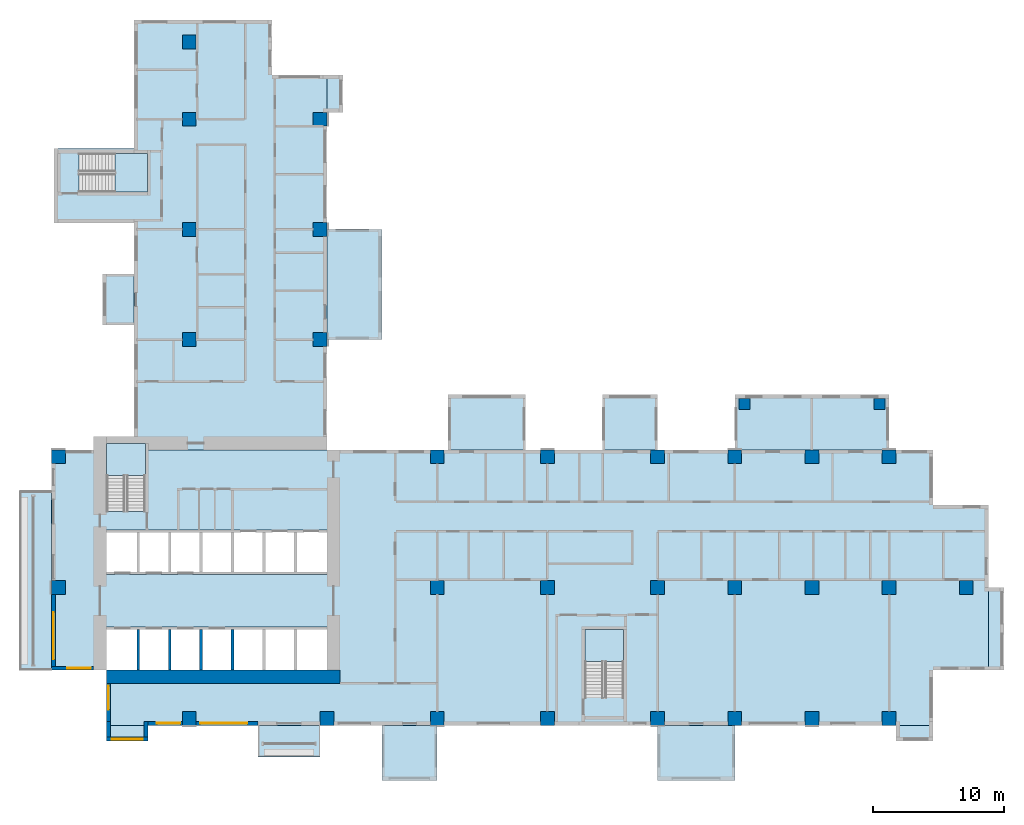
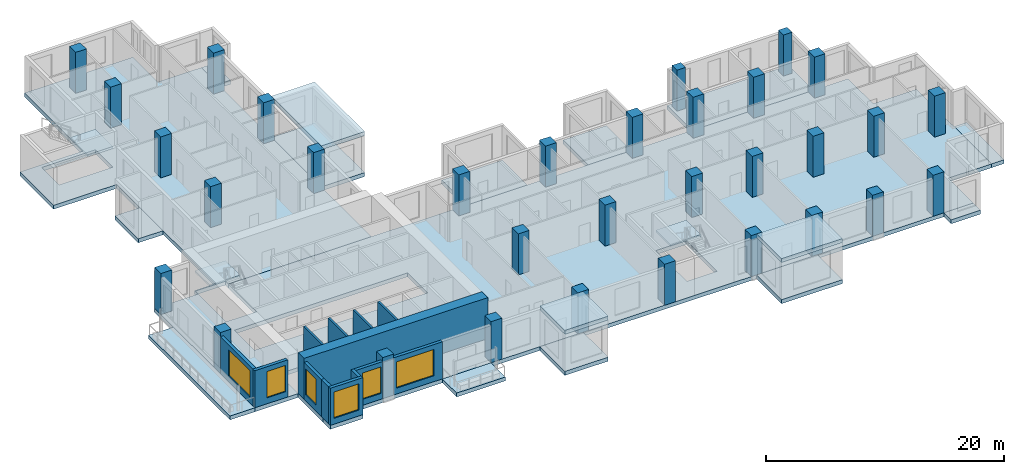
# One storey, part 1 of 15: 32 columns, 21 slabs, 13 walls, 6 windows, 6 openings, 3 elements without a shape of their own.
"""IFC4 building model written with IfcOpenShell, lengths in metres."""

from ifc_helpers import new_model, si_unit, direction, frame, frame_2d, origin, origin_2d, place, context, subcontext, project, spatial, polyline, rectangle, outline, extrude, source, transform, mapped, material, layer, layer_set, material_profile, profile_set, type_object, element, fill, aggregate, save


model = new_model("IFC4")

# Units and contexts
model_context = context("Model", 3, precision=1e-05, world=origin(), true_north=direction((0.0, 1.0)))
body_context = subcontext(model_context, "Body", "Model", "MODEL_VIEW")
ifc_project = project(units=[si_unit("LENGTHUNIT", "METRE"), si_unit("AREAUNIT", "SQUARE_METRE"), si_unit("VOLUMEUNIT", "CUBIC_METRE"), si_unit("PLANEANGLEUNIT", "RADIAN"), si_unit("MASSUNIT", "GRAM", prefix="KILO")], contexts=[model_context])

# Site, building, storey
site_placement = place(None, origin())
site = spatial("IfcSite", under=ifc_project, at=site_placement, CompositionType="ELEMENT")
building_placement = place(site_placement, origin())
building = spatial("IfcBuilding", under=site, at=building_placement, Name="Aurelian Terraces", CompositionType="ELEMENT")
storey_placement = place(building_placement, frame((0.0, 0.0, 137.1)))
storey = spatial("IfcBuildingStorey", under=building, at=storey_placement, Name="L30", CompositionType="ELEMENT", Elevation=137.1)

# Columns
ifc_material_1 = material(Name="Concrete fc' 83 MPa", Category="concrete")
ifc_material_profile_1 = material_profile(ifc_material_1, rectangle(XDim=1.05, YDim=1.05, at=origin_2d()))
ifc_profile_set_1 = profile_set([ifc_material_profile_1], Name="Concrete fc' 83 MPa")
column_type_1 = type_object("IfcColumnType", Name="RC COLUMN 1050X1050 FC83", PredefinedType="COLUMN", material=ifc_profile_set_1)
shared_shape_1 = source(origin(), body_context, "Body", "SweptSolid", [
    extrude(rectangle(XDim=1.05, YDim=1.05, at=origin_2d()), origin(), (0.0, 0.0, 1.0), 4.2),
])
for number, where, z_axis, x_axis, name in (
    (1, (10.5, 0.525, 0.0), (0.0, 0.0, 1.0), (1.0, 0.0, 0.0), "Column 2/A L30"),
    (2, (21.0, 0.525, 0.0), (0.0, 0.0, 1.0), (1.0, 0.0, 0.0), "Column 3/A L30"),
    (3, (29.4, 0.525, 0.0), (0.0, 0.0, 1.0), (1.0, 0.0, 0.0), "Column 4/A L30"),
    (4, (37.8, 0.525, 0.0), (0.0, 0.0, 1.0), (1.0, 0.0, 0.0), "Column 5/A L30"),
    (5, (46.2, 0.525, 0.0), (0.0, 0.0, 1.0), (1.0, 0.0, 0.0), "Column 6/A L30"),
    (6, (52.08, 0.525, 0.0), (0.0, 0.0, 1.0), (1.0, 0.0, 0.0), "Column 7/A L30"),
    (7, (57.96, 0.525, 0.0), (0.0, 0.0, 1.0), (1.0, 0.0, 0.0), "Column 8/A L30"),
    (8, (63.84, 0.525, 0.0), (0.0, 0.0, 1.0), (1.0, 0.0, 0.0), "Column 9/A L30"),
    (9, (0.525, 10.5, 0.0), (0.0, 0.0, 1.0), (1.0, 0.0, 0.0), "Column 1/B L30"),
    (10, (29.4, 10.5, 0.0), (0.0, 0.0, 1.0), (1.0, 0.0, 0.0), "Column 4/B L30"),
    (11, (37.8, 10.5, 0.0), (0.0, 0.0, 1.0), (1.0, 0.0, 0.0), "Column 5/B L30"),
    (12, (46.2, 10.5, 0.0), (0.0, 0.0, 1.0), (1.0, 0.0, 0.0), "Column 6/B L30"),
    (13, (52.08, 10.5, 0.0), (0.0, 0.0, 1.0), (1.0, 0.0, 0.0), "Column 7/B L30"),
    (14, (57.96, 10.5, 0.0), (0.0, 0.0, 1.0), (1.0, 0.0, 0.0), "Column 8/B L30"),
    (15, (63.84, 10.5, 0.0), (0.0, 0.0, 1.0), (1.0, 0.0, 0.0), "Column 9/B L30"),
    (16, (69.72, 10.5, 0.0), (0.0, 0.0, 1.0), (1.0, 0.0, 0.0), "Column 10/B L30"),
    (17, (0.525, 20.475, 0.0), (0.0, 0.0, 1.0), (1.0, 0.0, 0.0), "Column 1/C L30"),
    (18, (29.4, 20.475, 0.0), (0.0, 0.0, 1.0), (1.0, 0.0, 0.0), "Column 4/C L30"),
    (19, (37.8, 20.475, 0.0), (0.0, 0.0, 1.0), (1.0, 0.0, 0.0), "Column 5/C L30"),
    (20, (46.2, 20.475, 0.0), (0.0, 0.0, 1.0), (1.0, 0.0, 0.0), "Column 6/C L30"),
    (21, (52.08, 20.475, 0.0), (0.0, 0.0, 1.0), (1.0, 0.0, 0.0), "Column 7/C L30"),
    (22, (57.96, 20.475, 0.0), (0.0, 0.0, 1.0), (1.0, 0.0, 0.0), "Column 8/C L30"),
    (23, (63.84, 20.475, 0.0), (0.0, 0.0, 1.0), (1.0, 0.0, 0.0), "Column 9/C L30"),
    (24, (10.5, 29.4, 0.0), (0.0, 0.0, 1.0), (1.0, 0.0, 0.0), "Column 2/D L30"),
    (25, (20.475, 29.4, 0.0), (0.0, 0.0, 1.0), (1.0, 0.0, 0.0), "Column 3/D L30"),
    (26, (10.5, 37.8, 0.0), (0.0, 0.0, 1.0), (1.0, 0.0, 0.0), "Column 2/E L30"),
    (27, (20.475, 37.8, 0.0), (0.0, 0.0, 1.0), (1.0, 0.0, 0.0), "Column 3/E L30"),
    (28, (10.5, 46.2, 0.0), (0.0, 0.0, 1.0), (1.0, 0.0, 0.0), "Column 2/F L30"),
    (29, (20.475, 46.2, 0.0), (0.0, 0.0, 1.0), (1.0, 0.0, 0.0), "Column 3/F L30"),
    (30, (10.5, 52.08, 0.0), (0.0, 0.0, 1.0), (1.0, 0.0, 0.0), "Column 2/G L30"),
):
    element("IfcColumn", number, at=place(storey_placement, frame(where, z_axis=z_axis, x_axis=x_axis)), inside=storey, type_object=column_type_1, Name=name, PredefinedType="COLUMN", context=body_context, shape_type="MappedRepresentation", body=[
        mapped(shared_shape_1, transform((0.0, 0.0, 0.0), scale=1.0)),
    ])
ifc_material_2 = material(Name="Concrete fc' 55 MPa", Category="concrete")
ifc_material_profile_2 = material_profile(ifc_material_2, rectangle(XDim=0.84, YDim=0.84, at=origin_2d()))
ifc_profile_set_2 = profile_set([ifc_material_profile_2], Name="Concrete fc' 55 MPa")
column_type_2 = type_object("IfcColumnType", Name="BLOCK CORNER PIER 840X840", PredefinedType="COLUMN", material=ifc_profile_set_2)
shared_shape_2 = source(origin(), body_context, "Body", "SweptSolid", [
    extrude(rectangle(XDim=0.84, YDim=0.84, at=origin_2d()), origin(), (0.0, 0.0, 1.0), 4.2),
])
for number, where, z_axis, x_axis, name in (
    (31, (52.805, 24.48, 0.0), (0.0, 0.0, 1.0), (1.0, 0.0, 0.0), "Block pier K02.1 L30"),
    (32, (63.115, 24.48, 0.0), (0.0, 0.0, 1.0), (1.0, 0.0, 0.0), "Block pier K02.2 L30"),
):
    element("IfcColumn", number, at=place(storey_placement, frame(where, z_axis=z_axis, x_axis=x_axis)), inside=storey, type_object=column_type_2, Name=name, PredefinedType="COLUMN", context=body_context, shape_type="MappedRepresentation", body=[
        mapped(shared_shape_2, transform((0.0, 0.0, 0.0), scale=1.0)),
    ])

# Slabs
ifc_material_3 = material(Name="Concrete fc' 40 MPa", Category="concrete")
ifc_layer_1 = layer(ifc_material_3, 0.4)
ifc_layer_set_1 = layer_set([ifc_layer_1], Name="PT FLAT PLATE 400")
slab_type_1 = type_object("IfcSlabType", Name="PT FLAT PLATE 400", PredefinedType="FLOOR", material=ifc_layer_set_1)
shared_shape_3 = source(origin(), body_context, "Body", "SweptSolid", [
    extrude(outline(polyline([(67.2, 16.8), (71.4, 16.8), (71.4, 4.2), (67.2, 4.2), (67.2, 0.0), (21.0, 0.0), (4.2, 0.0), (4.2, 4.2), (0.0, 4.2), (0.0, 21.0), (4.21, 21.0), (4.21, 16.31), (7.14, 16.31), (7.14, 21.0), (21.0, 21.0), (67.2, 21.0), (67.2, 16.8)]), holes=[polyline([(40.66, 2.11), (43.59, 2.11), (43.59, 7.29), (40.66, 7.29), (40.66, 2.11)]), polyline([(4.21, 7.49), (4.21, 4.21), (20.99, 4.21), (20.99, 7.49), (4.21, 7.49)]), polyline([(4.21, 14.89), (4.21, 11.51), (20.99, 11.51), (20.99, 14.89), (4.21, 14.89)])]), origin(), (0.0, 0.0, 1.0), 0.4),
])
slab_1_placement = place(storey_placement, frame((0.0, 0.0, -0.4)))
element("IfcSlab", 33, at=slab_1_placement, inside=storey, type_object=slab_type_1, Name="Floor slab S L30", PredefinedType="FLOOR", context=body_context, shape_type="MappedRepresentation", body=[
    mapped(shared_shape_3, transform((0.0, 0.0, 0.0), scale=1.0)),
])
shared_shape_4 = source(origin(), body_context, "Body", "SweptSolid", [
    extrude(outline(polyline([(0.2, 43.95), (6.3, 43.95), (6.3, 49.56), (6.3, 53.76), (10.5, 53.76), (16.8, 53.76), (16.8, 49.56), (21.0, 49.56), (21.0, 21.0), (7.14, 21.0), (7.14, 21.49), (4.21, 21.49), (4.21, 21.0), (4.2, 21.0), (4.2, 21.6), (6.3, 21.6), (6.3, 38.3), (0.2, 38.3), (0.2, 43.95)]), holes=[polyline([(7.29, 43.59), (2.11, 43.59), (2.11, 40.66), (7.29, 40.66), (7.29, 43.59)])]), origin(), (0.0, 0.0, 1.0), 0.4),
])
slab_2_placement = place(storey_placement, frame((0.0, 0.0, -0.4)))
element("IfcSlab", 34, at=slab_2_placement, inside=storey, type_object=slab_type_1, Name="Floor slab W L30", PredefinedType="FLOOR", context=body_context, shape_type="MappedRepresentation", body=[
    mapped(shared_shape_4, transform((0.0, 0.0, 0.0), scale=1.0)),
])
ifc_layer_2 = layer(ifc_material_3, 0.41)
ifc_layer_set_2 = layer_set([ifc_layer_2], Name="Box floor 410")
slab_type_2 = type_object("IfcSlabType", Name="Box floor 410", PredefinedType="NOTDEFINED", material=ifc_layer_set_2)
shared_shape_5 = source(origin(), body_context, "Body", "SweptSolid", [
    extrude(outline(polyline([(46.2, -4.2), (52.08, -4.2), (52.08, 0.0), (46.2, 0.0), (46.2, -4.2)])), origin(), (0.0, 0.0, 1.0), 0.41),
])
slab_3_placement = place(storey_placement, frame((0.0, 0.0, -0.41)))
element("IfcSlab", 35, at=slab_3_placement, inside=storey, type_object=slab_type_2, Name="Box floor L30 J40", PredefinedType="NOTDEFINED", context=body_context, shape_type="MappedRepresentation", body=[
    mapped(shared_shape_5, transform((0.0, 0.0, 0.0), scale=1.0)),
])
shared_shape_6 = source(origin(), body_context, "Body", "SweptSolid", [
    extrude(outline(polyline([(25.2, 29.4), (25.2, 37.8), (21.0, 37.8), (21.0, 29.4), (25.2, 29.4)])), origin(), (0.0, 0.0, 1.0), 0.41),
])
slab_4_placement = place(storey_placement, frame((0.0, 0.0, -0.41)))
element("IfcSlab", 36, at=slab_4_placement, inside=storey, type_object=slab_type_2, Name="Box floor L30 J41", PredefinedType="NOTDEFINED", context=body_context, shape_type="MappedRepresentation", body=[
    mapped(shared_shape_6, transform((0.0, 0.0, 0.0), scale=1.0)),
])
ifc_layer_3 = layer(ifc_material_3, 0.4)
ifc_layer_set_3 = layer_set([ifc_layer_3], Name="Bay floor 400")
slab_type_3 = type_object("IfcSlabType", Name="Bay floor 400", PredefinedType="NOTDEFINED", material=ifc_layer_set_3)
shared_shape_7 = source(origin(), body_context, "Body", "SweptSolid", [
    extrude(outline(polyline([(4.2, 0.0), (7.35, 0.0), (7.35, -1.2), (4.2, -1.2), (4.2, 0.0)])), origin(), (0.0, 0.0, 1.0), 0.4),
])
slab_5_placement = place(storey_placement, frame((0.0, 0.0, -0.4)))
element("IfcSlab", 37, at=slab_5_placement, inside=storey, type_object=slab_type_3, Name="Bay floor L30 F01.1", PredefinedType="NOTDEFINED", context=body_context, shape_type="MappedRepresentation", body=[
    mapped(shared_shape_7, transform((0.0, 0.0, 0.0), scale=1.0)),
])
shared_shape_8 = source(origin(), body_context, "Body", "SweptSolid", [
    extrude(outline(polyline([(36.12, 25.2), (30.24, 25.2), (30.24, 21.0), (36.12, 21.0), (36.12, 25.2)])), origin(), (0.0, 0.0, 1.0), 0.41),
])
slab_6_placement = place(storey_placement, frame((0.0, 0.0, -0.41)))
element("IfcSlab", 38, at=slab_6_placement, inside=storey, type_object=slab_type_2, Name="Box floor L30 J42", PredefinedType="NOTDEFINED", context=body_context, shape_type="MappedRepresentation", body=[
    mapped(shared_shape_8, transform((0.0, 0.0, 0.0), scale=1.0)),
])
shared_shape_9 = source(origin(), body_context, "Body", "SweptSolid", [
    extrude(outline(polyline([(71.4, 4.2), (71.4, 10.5), (72.6, 10.5), (72.6, 4.2), (71.4, 4.2)])), origin(), (0.0, 0.0, 1.0), 0.4),
])
slab_7_placement = place(storey_placement, frame((0.0, 0.0, -0.4)))
element("IfcSlab", 39, at=slab_7_placement, inside=storey, type_object=slab_type_3, Name="Bay floor L30 F04.15", PredefinedType="NOTDEFINED", context=body_context, shape_type="MappedRepresentation", body=[
    mapped(shared_shape_9, transform((0.0, 0.0, 0.0), scale=1.0)),
])
ifc_layer_4 = layer(ifc_material_3, 0.4)
ifc_layer_set_4 = layer_set([ifc_layer_4], Name="Box roof 400")
slab_type_4 = type_object("IfcSlabType", Name="Box roof 400", PredefinedType="ROOF", material=ifc_layer_set_4)
shared_shape_10 = source(origin(), body_context, "Body", "SweptSolid", [
    extrude(outline(polyline([(46.2, -4.2), (52.08, -4.2), (52.08, 0.0), (46.2, 0.0), (46.2, -4.2)])), origin(), (0.0, 0.0, 1.0), 0.4),
])
slab_8_placement = place(storey_placement, frame((0.0, 0.0, 3.8)))
element("IfcSlab", 40, at=slab_8_placement, inside=storey, type_object=slab_type_4, Name="Box roof J40", PredefinedType="ROOF", context=body_context, shape_type="MappedRepresentation", body=[
    mapped(shared_shape_10, transform((0.0, 0.0, 0.0), scale=1.0)),
])
shared_shape_11 = source(origin(), body_context, "Body", "SweptSolid", [
    extrude(outline(polyline([(25.2, -4.2), (29.4, -4.2), (29.4, 0.0), (25.2, 0.0), (25.2, -4.2)])), origin(), (0.0, 0.0, 1.0), 0.41),
])
slab_9_placement = place(storey_placement, frame((0.0, 0.0, -0.41)))
element("IfcSlab", 41, at=slab_9_placement, inside=storey, type_object=slab_type_2, Name="Box floor L30 J39", PredefinedType="NOTDEFINED", context=body_context, shape_type="MappedRepresentation", body=[
    mapped(shared_shape_11, transform((0.0, 0.0, 0.0), scale=1.0)),
])
shared_shape_12 = source(origin(), body_context, "Body", "SweptSolid", [
    extrude(outline(polyline([(25.2, -4.2), (29.4, -4.2), (29.4, 0.0), (25.2, 0.0), (25.2, -4.2)])), origin(), (0.0, 0.0, 1.0), 0.4),
])
slab_10_placement = place(storey_placement, frame((0.0, 0.0, 3.8)))
element("IfcSlab", 42, at=slab_10_placement, inside=storey, type_object=slab_type_4, Name="Box roof J39", PredefinedType="ROOF", context=body_context, shape_type="MappedRepresentation", body=[
    mapped(shared_shape_12, transform((0.0, 0.0, 0.0), scale=1.0)),
])
shared_shape_13 = source(origin(), body_context, "Body", "SweptSolid", [
    extrude(outline(polyline([(25.2, 29.4), (25.2, 37.8), (21.0, 37.8), (21.0, 29.4), (25.2, 29.4)])), origin(), (0.0, 0.0, 1.0), 0.4),
])
slab_11_placement = place(storey_placement, frame((0.0, 0.0, 3.8)))
element("IfcSlab", 43, at=slab_11_placement, inside=storey, type_object=slab_type_4, Name="Box roof J41", PredefinedType="ROOF", context=body_context, shape_type="MappedRepresentation", body=[
    mapped(shared_shape_13, transform((0.0, 0.0, 0.0), scale=1.0)),
])
shared_shape_14 = source(origin(), body_context, "Body", "SweptSolid", [
    extrude(outline(polyline([(46.2, 25.2), (42.0, 25.2), (42.0, 21.0), (46.2, 21.0), (46.2, 25.2)])), origin(), (0.0, 0.0, 1.0), 0.41),
])
slab_12_placement = place(storey_placement, frame((0.0, 0.0, -0.41)))
element("IfcSlab", 44, at=slab_12_placement, inside=storey, type_object=slab_type_2, Name="Box floor L30 J43", PredefinedType="NOTDEFINED", context=body_context, shape_type="MappedRepresentation", body=[
    mapped(shared_shape_14, transform((0.0, 0.0, 0.0), scale=1.0)),
])
shared_shape_15 = source(origin(), body_context, "Body", "SweptSolid", [
    extrude(outline(polyline([(3.9, 34.4), (3.9, 30.5), (6.3, 30.5), (6.3, 34.4), (3.9, 34.4)])), origin(), (0.0, 0.0, 1.0), 0.41),
])
slab_13_placement = place(storey_placement, frame((0.0, 0.0, -0.41)))
element("IfcSlab", 45, at=slab_13_placement, inside=storey, type_object=slab_type_2, Name="Box floor L30 J44", PredefinedType="NOTDEFINED", context=body_context, shape_type="MappedRepresentation", body=[
    mapped(shared_shape_15, transform((0.0, 0.0, 0.0), scale=1.0)),
])
ifc_layer_5 = layer(ifc_material_3, 0.4)
ifc_layer_set_5 = layer_set([ifc_layer_5], Name="Balcony slab 400")
slab_type_5 = type_object("IfcSlabType", Name="Balcony slab 400", PredefinedType="NOTDEFINED", material=ifc_layer_set_5)
shared_shape_16 = source(origin(), body_context, "Body", "SweptSolid", [
    extrude(outline(polyline([(0.0, 17.85), (0.0, 4.2), (-2.4, 4.2), (-2.4, 17.85), (0.0, 17.85)])), origin(), (0.0, 0.0, 1.0), 0.4),
])
slab_14_placement = place(storey_placement, frame((0.0, 0.0, -0.4)))
element("IfcSlab", 46, at=slab_14_placement, inside=storey, type_object=slab_type_5, Name="Balcony slab L30 F20.38", PredefinedType="NOTDEFINED", context=body_context, shape_type="MappedRepresentation", body=[
    mapped(shared_shape_16, transform((0.0, 0.0, 0.0), scale=1.0)),
])
shared_shape_17 = source(origin(), body_context, "Body", "SweptSolid", [
    extrude(outline(polyline([(63.84, 25.2), (52.08, 25.2), (52.08, 21.0), (63.84, 21.0), (63.84, 25.2)])), origin(), (0.0, 0.0, 1.0), 0.41),
])
slab_15_placement = place(storey_placement, frame((0.0, 0.0, -0.41)))
element("IfcSlab", 47, at=slab_15_placement, inside=storey, type_object=slab_type_2, Name="Box floor L30 K02", PredefinedType="NOTDEFINED", context=body_context, shape_type="MappedRepresentation", body=[
    mapped(shared_shape_17, transform((0.0, 0.0, 0.0), scale=1.0)),
])
shared_shape_18 = source(origin(), body_context, "Body", "SweptSolid", [
    extrude(outline(polyline([(64.365, 0.0), (67.2, 0.0), (67.2, -1.2), (64.365, -1.2), (64.365, 0.0)])), origin(), (0.0, 0.0, 1.0), 0.4),
])
slab_16_placement = place(storey_placement, frame((0.0, 0.0, -0.4)))
element("IfcSlab", 48, at=slab_16_placement, inside=storey, type_object=slab_type_3, Name="Bay floor L30 F01.11", PredefinedType="NOTDEFINED", context=body_context, shape_type="MappedRepresentation", body=[
    mapped(shared_shape_18, transform((0.0, 0.0, 0.0), scale=1.0)),
])
shared_shape_19 = source(origin(), body_context, "Body", "SweptSolid", [
    extrude(outline(polyline([(21.0, 46.725), (21.0, 49.56), (22.2, 49.56), (22.2, 46.725), (21.0, 46.725)])), origin(), (0.0, 0.0, 1.0), 0.4),
])
slab_17_placement = place(storey_placement, frame((0.0, 0.0, -0.4)))
element("IfcSlab", 49, at=slab_17_placement, inside=storey, type_object=slab_type_3, Name="Bay floor L30 F08.24", PredefinedType="NOTDEFINED", context=body_context, shape_type="MappedRepresentation", body=[
    mapped(shared_shape_19, transform((0.0, 0.0, 0.0), scale=1.0)),
])
shared_shape_20 = source(origin(), body_context, "Body", "SweptSolid", [
    extrude(outline(polyline([(15.75, 0.0), (20.475, 0.0), (20.475, -2.4), (15.75, -2.4), (15.75, 0.0)])), origin(), (0.0, 0.0, 1.0), 0.4),
])
slab_18_placement = place(storey_placement, frame((0.0, 0.0, -0.4)))
element("IfcSlab", 50, at=slab_18_placement, inside=storey, type_object=slab_type_5, Name="Balcony slab L30 F01.4", PredefinedType="NOTDEFINED", context=body_context, shape_type="MappedRepresentation", body=[
    mapped(shared_shape_20, transform((0.0, 0.0, 0.0), scale=1.0)),
])

# Stair, slab
stair_type = type_object("IfcStairType", Name="Stair 1400", PredefinedType="HALF_TURN_STAIR", material=ifc_material_3)
stair_1_placement = place(storey_placement, origin())
stair_1 = element("IfcStair", 51, at=stair_1_placement, inside=storey, type_object=stair_type, Name="L30 S1", PredefinedType="HALF_TURN_STAIR")
ifc_layer_6 = layer(ifc_material_3, 0.2)
ifc_layer_set_6 = layer_set([ifc_layer_6], Name="Stair landing 200")
slab_type_6 = type_object("IfcSlabType", Name="Stair landing 200", PredefinedType="LANDING", material=ifc_layer_set_6)
shared_shape_21 = source(origin(), body_context, "Body", "SweptSolid", [
    extrude(outline(polyline([(7.15, 19.05), (7.15, 21.5), (4.2, 21.5), (4.2, 19.05), (7.15, 19.05)])), origin(), (0.0, 0.0, 1.0), 0.2),
])
slab_19_placement = place(storey_placement, frame((0.0, 0.0, 1.9)))
slab_19 = element("IfcSlab", 52, at=slab_19_placement, type_object=slab_type_6, Name="S1 landing 1", PredefinedType="LANDING", context=body_context, shape_type="MappedRepresentation", body=[
    mapped(shared_shape_21, transform((0.0, 0.0, 0.0), scale=1.0)),
])
aggregate(stair_1, [slab_19])

stair_2_placement = place(storey_placement, origin())
stair_2 = element("IfcStair", 53, at=stair_2_placement, inside=storey, type_object=stair_type, Name="L30 S2", PredefinedType="HALF_TURN_STAIR")
shared_shape_22 = source(origin(), body_context, "Body", "SweptSolid", [
    extrude(outline(polyline([(43.6, 4.85), (43.6, 7.3), (40.65, 7.3), (40.65, 4.85), (43.6, 4.85)])), origin(), (0.0, 0.0, 1.0), 0.2),
])
slab_20_placement = place(storey_placement, frame((0.0, 0.0, 1.9)))
slab_20 = element("IfcSlab", 54, at=slab_20_placement, type_object=slab_type_6, Name="S2 landing 1", PredefinedType="LANDING", context=body_context, shape_type="MappedRepresentation", body=[
    mapped(shared_shape_22, transform((0.0, 0.0, 0.0), scale=1.0)),
])
aggregate(stair_2, [slab_20])

stair_3_placement = place(storey_placement, origin())
stair_3 = element("IfcStair", 55, at=stair_3_placement, inside=storey, type_object=stair_type, Name="L30 S3", PredefinedType="HALF_TURN_STAIR")
shared_shape_23 = source(origin(), body_context, "Body", "SweptSolid", [
    extrude(outline(polyline([(4.85, 40.65), (7.3, 40.65), (7.3, 43.6), (4.85, 43.6), (4.85, 40.65)])), origin(), (0.0, 0.0, 1.0), 0.2),
])
slab_21_placement = place(storey_placement, frame((0.0, 0.0, 1.9)))
slab_21 = element("IfcSlab", 56, at=slab_21_placement, type_object=slab_type_6, Name="S3 landing 1", PredefinedType="LANDING", context=body_context, shape_type="MappedRepresentation", body=[
    mapped(shared_shape_23, transform((0.0, 0.0, 0.0), scale=1.0)),
])
aggregate(stair_3, [slab_21])

# Wall
ifc_layer_7 = layer(ifc_material_1, 1.0)
ifc_layer_set_7 = layer_set([ifc_layer_7], Name="CORE WALL 1000 FC83")
wall_type_1 = type_object("IfcWallType", Name="CORE WALL 1000 FC83", PredefinedType="SHEAR", material=ifc_layer_set_7)
shared_shape_24 = source(origin(), body_context, "Body", "SweptSolid", [
    extrude(rectangle(XDim=17.8, YDim=1.0, at=frame_2d((8.9, 0.0))), origin(), (0.0, 0.0, 1.0), 4.2),
])
wall_1_placement = place(storey_placement, frame((4.2, 3.7, 0.0), z_axis=(0.0, 0.0, 1.0), x_axis=(1.0, 0.0, 0.0)))
element("IfcWall", 57, at=wall_1_placement, inside=storey, type_object=wall_type_1, Name="Core wall S L30", PredefinedType="SHEAR", context=body_context, shape_type="MappedRepresentation", body=[
    mapped(shared_shape_24, transform((0.0, 0.0, 0.0), scale=1.0)),
])

# Wall, opening, window
ifc_material_4 = material(Name="Terracotta rainscreen cladding", Category="masonry")
ifc_layer_8 = layer(ifc_material_4, 0.3)
ifc_layer_set_8 = layer_set([ifc_layer_8], Name="EW-300")
wall_type_2 = type_object("IfcWallType", Name="EW-300", PredefinedType="STANDARD", material=ifc_layer_set_8)
shared_shape_25 = source(origin(), body_context, "Body", "SweptSolid", [
    extrude(rectangle(XDim=3.15, YDim=0.3, at=frame_2d((1.575, 0.0))), origin(), (0.0, 0.0, 1.0), 3.8),
])
wall_2_placement = place(storey_placement, frame((4.2, -1.05, 0.0), z_axis=(0.0, 0.0, 1.0), x_axis=(1.0, 0.0, 0.0)))
wall_2 = element("IfcWall", 58, at=wall_2_placement, inside=storey, type_object=wall_type_2, Name="Bay wall L30 F01.1", PredefinedType="STANDARD", context=body_context, shape_type="MappedRepresentation", body=[
    mapped(shared_shape_25, transform((0.0, 0.0, 0.0), scale=1.0)),
])
shared_shape_26 = source(origin(), body_context, "Body", "SweptSolid", [
    extrude(rectangle(XDim=2.4, YDim=2.7, at=frame_2d((1.2, 1.35))), frame((0.0, 0.16, 0.0), z_axis=(0.0, -1.0, 0.0), x_axis=(1.0, 0.0, 0.0)), (0.0, 0.0, 1.0), 0.32),
])
opening_1_placement = place(wall_2_placement, frame((0.375, 0.0, 0.6)))
opening_1 = element("IfcOpeningElement", 59, at=opening_1_placement, cuts=wall_2, Name="Opening W2427", PredefinedType="OPENING", context=body_context, shape_type="MappedRepresentation", body=[
    mapped(shared_shape_26, transform((0.0, 0.0, 0.0), scale=1.0)),
])
ifc_material_5 = material(Name="Clear glazing", Category="glass")
window_type_1 = type_object("IfcWindowType", Name="W-2400x2700", PartitioningType="SINGLE_PANEL", PredefinedType="WINDOW", material=ifc_material_5)
shared_shape_27 = source(origin(), body_context, "Body", "SweptSolid", [
    extrude(rectangle(XDim=2.4, YDim=2.7, at=frame_2d((1.2, 1.35))), frame((0.0, 0.03, 0.0), z_axis=(0.0, -1.0, 0.0), x_axis=(1.0, 0.0, 0.0)), (0.0, 0.0, 1.0), 0.06),
])
window_1_placement = place(opening_1_placement, origin())
window_1 = element("IfcWindow", 60, at=window_1_placement, inside=storey, type_object=window_type_1, Name="Window L30 L30-F01-01-0", OverallHeight=2.7, OverallWidth=2.4, PartitioningType="SINGLE_PANEL", PredefinedType="WINDOW", context=body_context, shape_type="MappedRepresentation", body=[
    mapped(shared_shape_27, transform((0.0, 0.0, 0.0), scale=1.0)),
])
fill(opening_1, window_1)

# Walls
shared_shape_28 = source(origin(), body_context, "Body", "SweptSolid", [
    extrude(rectangle(XDim=1.2, YDim=0.3, at=frame_2d((0.6, 0.0))), origin(), (0.0, 0.0, 1.0), 3.8),
])
for number, where, z_axis, x_axis, name in (
    (61, (4.35, 0.3, 0.0), (0.0, 0.0, 1.0), (0.0, -1.0, 0.0), "Bay return L30 F01.1.1"),
    (62, (7.2, 0.3, 0.0), (0.0, 0.0, 1.0), (0.0, -1.0, 0.0), "Bay return L30 F01.1.2"),
):
    element("IfcWall", number, at=place(storey_placement, frame(where, z_axis=z_axis, x_axis=x_axis)), inside=storey, type_object=wall_type_2, Name=name, PredefinedType="STANDARD", context=body_context, shape_type="MappedRepresentation", body=[
        mapped(shared_shape_28, transform((0.0, 0.0, 0.0), scale=1.0)),
    ])

# Wall, opening, window
shared_shape_29 = source(origin(), body_context, "Body", "SweptSolid", [
    extrude(rectangle(XDim=3.2, YDim=0.3, at=frame_2d((1.6, 0.0))), origin(), (0.0, 0.0, 1.0), 3.8),
])
wall_3_placement = place(storey_placement, frame((0.0, 4.35, 0.0), z_axis=(0.0, 0.0, 1.0), x_axis=(1.0, 0.0, 0.0)))
wall_3 = element("IfcWall", 63, at=wall_3_placement, inside=storey, type_object=wall_type_2, Name="External wall L30 F21.39", PredefinedType="STANDARD", context=body_context, shape_type="MappedRepresentation", body=[
    mapped(shared_shape_29, transform((0.0, 0.0, 0.0), scale=1.0)),
])
shared_shape_30 = source(origin(), body_context, "Body", "SweptSolid", [
    extrude(rectangle(XDim=1.8, YDim=2.7, at=frame_2d((0.9, 1.35))), frame((0.0, 0.16, 0.0), z_axis=(0.0, -1.0, 0.0), x_axis=(1.0, 0.0, 0.0)), (0.0, 0.0, 1.0), 0.32),
])
opening_2_placement = place(wall_3_placement, frame((1.2, 0.0, 0.6)))
opening_2 = element("IfcOpeningElement", 64, at=opening_2_placement, cuts=wall_3, Name="Opening W1827", PredefinedType="OPENING", context=body_context, shape_type="MappedRepresentation", body=[
    mapped(shared_shape_30, transform((0.0, 0.0, 0.0), scale=1.0)),
])
window_type_2 = type_object("IfcWindowType", Name="W-1800x2700", PartitioningType="SINGLE_PANEL", PredefinedType="WINDOW", material=ifc_material_5)
shared_shape_31 = source(origin(), body_context, "Body", "SweptSolid", [
    extrude(rectangle(XDim=1.8, YDim=2.7, at=frame_2d((0.9, 1.35))), frame((0.0, 0.03, 0.0), z_axis=(0.0, -1.0, 0.0), x_axis=(1.0, 0.0, 0.0)), (0.0, 0.0, 1.0), 0.06),
])
window_2_placement = place(opening_2_placement, origin())
window_2 = element("IfcWindow", 65, at=window_2_placement, inside=storey, type_object=window_type_2, Name="Window L30 L30-F21-39-0", OverallHeight=2.7, OverallWidth=1.8, PartitioningType="SINGLE_PANEL", PredefinedType="WINDOW", context=body_context, shape_type="MappedRepresentation", body=[
    mapped(shared_shape_31, transform((0.0, 0.0, 0.0), scale=1.0)),
])
fill(opening_2, window_2)

wall_4_placement = place(storey_placement, frame((4.35, 3.2, 0.0), z_axis=(0.0, 0.0, 1.0), x_axis=(0.0, -1.0, 0.0)))
wall_4 = element("IfcWall", 66, at=wall_4_placement, inside=storey, type_object=wall_type_2, Name="External wall L30 F22.40", PredefinedType="STANDARD", context=body_context, shape_type="MappedRepresentation", body=[
    mapped(shared_shape_29, transform((0.0, 0.0, 0.0), scale=1.0)),
])
opening_3_placement = place(wall_4_placement, frame((0.2, 0.0, 0.6)))
opening_3 = element("IfcOpeningElement", 67, at=opening_3_placement, cuts=wall_4, Name="Opening W1827", PredefinedType="OPENING", context=body_context, shape_type="MappedRepresentation", body=[
    mapped(shared_shape_30, transform((0.0, 0.0, 0.0), scale=1.0)),
])
window_3_placement = place(opening_3_placement, origin())
window_3 = element("IfcWindow", 68, at=window_3_placement, inside=storey, type_object=window_type_2, Name="Window L30 L30-F22-40-0", OverallHeight=2.7, OverallWidth=1.8, PartitioningType="SINGLE_PANEL", PredefinedType="WINDOW", context=body_context, shape_type="MappedRepresentation", body=[
    mapped(shared_shape_31, transform((0.0, 0.0, 0.0), scale=1.0)),
])
fill(opening_3, window_3)

shared_shape_32 = source(origin(), body_context, "Body", "SweptSolid", [
    extrude(rectangle(XDim=2.625, YDim=0.3, at=frame_2d((1.3125, 0.0))), origin(), (0.0, 0.0, 1.0), 3.8),
])
wall_5_placement = place(storey_placement, frame((7.35, 0.15, 0.0), z_axis=(0.0, 0.0, 1.0), x_axis=(1.0, 0.0, 0.0)))
wall_5 = element("IfcWall", 69, at=wall_5_placement, inside=storey, type_object=wall_type_2, Name="External wall L30 F01.2", PredefinedType="STANDARD", context=body_context, shape_type="MappedRepresentation", body=[
    mapped(shared_shape_32, transform((0.0, 0.0, 0.0), scale=1.0)),
])
opening_4_placement = place(wall_5_placement, frame((0.675, 0.0, 0.6)))
opening_4 = element("IfcOpeningElement", 70, at=opening_4_placement, cuts=wall_5, Name="Opening W1827", PredefinedType="OPENING", context=body_context, shape_type="MappedRepresentation", body=[
    mapped(shared_shape_30, transform((0.0, 0.0, 0.0), scale=1.0)),
])
window_4_placement = place(opening_4_placement, origin())
window_4 = element("IfcWindow", 71, at=window_4_placement, inside=storey, type_object=window_type_2, Name="Window L30 L30-F01-02-0", OverallHeight=2.7, OverallWidth=1.8, PartitioningType="SINGLE_PANEL", PredefinedType="WINDOW", context=body_context, shape_type="MappedRepresentation", body=[
    mapped(shared_shape_31, transform((0.0, 0.0, 0.0), scale=1.0)),
])
fill(opening_4, window_4)

shared_shape_33 = source(origin(), body_context, "Body", "SweptSolid", [
    extrude(rectangle(XDim=5.775, YDim=0.3, at=frame_2d((2.8875, 0.0))), origin(), (0.0, 0.0, 1.0), 3.8),
])
wall_6_placement = place(storey_placement, frame((0.15, 9.975, 0.0), z_axis=(0.0, 0.0, 1.0), x_axis=(0.0, -1.0, 0.0)))
wall_6 = element("IfcWall", 72, at=wall_6_placement, inside=storey, type_object=wall_type_2, Name="External wall L30 F20.38", PredefinedType="STANDARD", context=body_context, shape_type="MappedRepresentation", body=[
    mapped(shared_shape_33, transform((0.0, 0.0, 0.0), scale=1.0)),
])
shared_shape_34 = source(origin(), body_context, "Body", "SweptSolid", [
    extrude(rectangle(XDim=3.6, YDim=2.7, at=frame_2d((1.8, 1.35))), frame((0.0, 0.16, 0.0), z_axis=(0.0, -1.0, 0.0), x_axis=(1.0, 0.0, 0.0)), (0.0, 0.0, 1.0), 0.32),
])
opening_5_placement = place(wall_6_placement, frame((1.35, 0.0, 0.6)))
opening_5 = element("IfcOpeningElement", 73, at=opening_5_placement, cuts=wall_6, Name="Opening W3627", PredefinedType="OPENING", context=body_context, shape_type="MappedRepresentation", body=[
    mapped(shared_shape_34, transform((0.0, 0.0, 0.0), scale=1.0)),
])
window_type_3 = type_object("IfcWindowType", Name="W-3600x2700", PartitioningType="SINGLE_PANEL", PredefinedType="WINDOW", material=ifc_material_5)
shared_shape_35 = source(origin(), body_context, "Body", "SweptSolid", [
    extrude(rectangle(XDim=3.6, YDim=2.7, at=frame_2d((1.8, 1.35))), frame((0.0, 0.03, 0.0), z_axis=(0.0, -1.0, 0.0), x_axis=(1.0, 0.0, 0.0)), (0.0, 0.0, 1.0), 0.06),
])
window_5_placement = place(opening_5_placement, origin())
window_5 = element("IfcWindow", 74, at=window_5_placement, inside=storey, type_object=window_type_3, Name="Window L30 L30-F20-38-2", OverallHeight=2.7, OverallWidth=3.6, PartitioningType="SINGLE_PANEL", PredefinedType="WINDOW", context=body_context, shape_type="MappedRepresentation", body=[
    mapped(shared_shape_35, transform((0.0, 0.0, 0.0), scale=1.0)),
])
fill(opening_5, window_5)

shared_shape_36 = source(origin(), body_context, "Body", "SweptSolid", [
    extrude(rectangle(XDim=4.725, YDim=0.3, at=frame_2d((2.3625, 0.0))), origin(), (0.0, 0.0, 1.0), 3.8),
])
wall_7_placement = place(storey_placement, frame((11.025, 0.15, 0.0), z_axis=(0.0, 0.0, 1.0), x_axis=(1.0, 0.0, 0.0)))
wall_7 = element("IfcWall", 75, at=wall_7_placement, inside=storey, type_object=wall_type_2, Name="External wall L30 F01.3", PredefinedType="STANDARD", context=body_context, shape_type="MappedRepresentation", body=[
    mapped(shared_shape_36, transform((0.0, 0.0, 0.0), scale=1.0)),
])
opening_6_placement = place(wall_7_placement, frame((0.3, 0.0, 0.6)))
opening_6 = element("IfcOpeningElement", 76, at=opening_6_placement, cuts=wall_7, Name="Opening W3627", PredefinedType="OPENING", context=body_context, shape_type="MappedRepresentation", body=[
    mapped(shared_shape_34, transform((0.0, 0.0, 0.0), scale=1.0)),
])
window_6_placement = place(opening_6_placement, origin())
window_6 = element("IfcWindow", 77, at=window_6_placement, inside=storey, type_object=window_type_3, Name="Window L30 L30-F01-03-0", OverallHeight=2.7, OverallWidth=3.6, PartitioningType="SINGLE_PANEL", PredefinedType="WINDOW", context=body_context, shape_type="MappedRepresentation", body=[
    mapped(shared_shape_35, transform((0.0, 0.0, 0.0), scale=1.0)),
])
fill(opening_6, window_6)

# Walls
ifc_layer_9 = layer(ifc_material_3, 0.2)
ifc_layer_set_9 = layer_set([ifc_layer_9], Name="Lift shaft wall 200")
wall_type_3 = type_object("IfcWallType", Name="Lift shaft wall 200", PredefinedType="SOLIDWALL", material=ifc_layer_set_9)
shared_shape_37 = source(origin(), body_context, "Body", "SweptSolid", [
    extrude(rectangle(XDim=3.1, YDim=0.2, at=frame_2d((1.55, 0.0))), origin(), (0.0, 0.0, 1.0), 4.2),
])
for number, where, z_axis, x_axis, name in (
    (78, (6.6, 4.2, 0.0), (0.0, 0.0, 1.0), (0.0, 1.0, 0.0), "L30 core wall CD-A1"),
    (79, (9.0, 4.2, 0.0), (0.0, 0.0, 1.0), (0.0, 1.0, 0.0), "L30 core wall CD-A2"),
    (80, (11.4, 4.2, 0.0), (0.0, 0.0, 1.0), (0.0, 1.0, 0.0), "L30 core wall CD-A3"),
    (81, (13.8, 4.2, 0.0), (0.0, 0.0, 1.0), (0.0, 1.0, 0.0), "L30 core wall CD-A4"),
):
    element("IfcWall", number, at=place(storey_placement, frame(where, z_axis=z_axis, x_axis=x_axis)), inside=storey, type_object=wall_type_3, Name=name, PredefinedType="SOLIDWALL", context=body_context, shape_type="MappedRepresentation", body=[
        mapped(shared_shape_37, transform((0.0, 0.0, 0.0), scale=1.0)),
    ])

save(model, "model.ifc")
